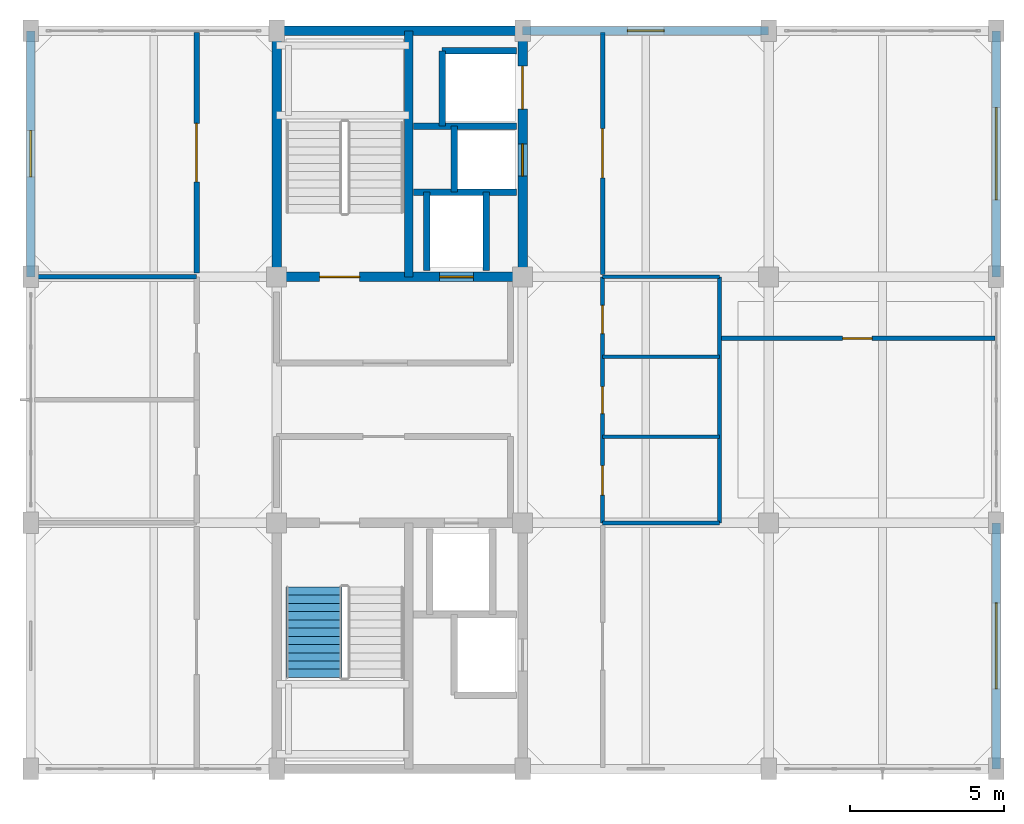
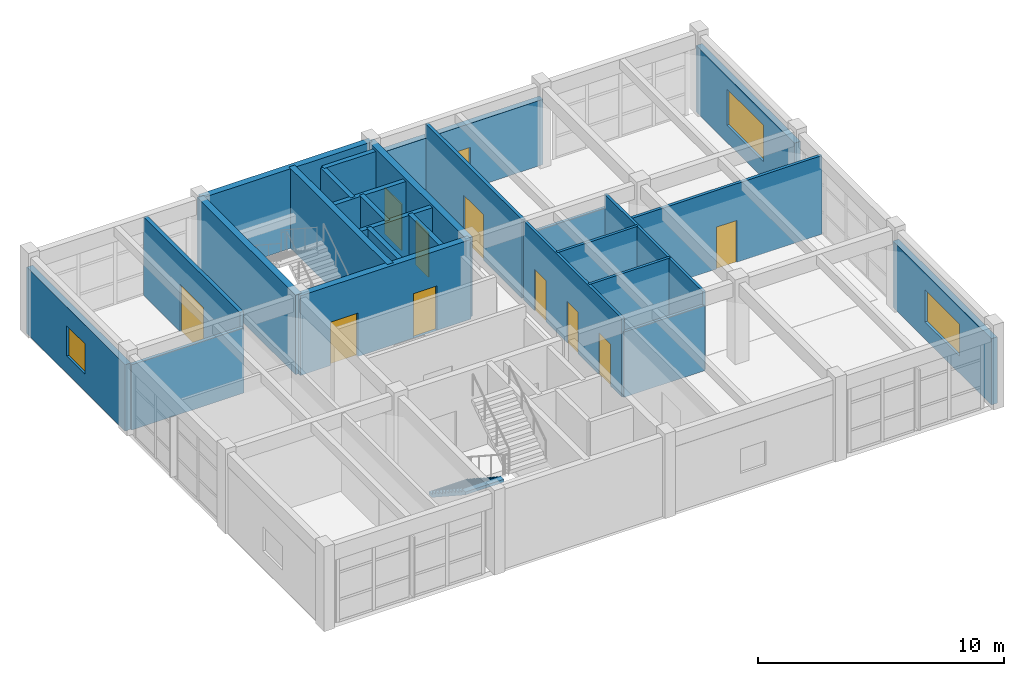
# One storey, part 15 of 18: 26 walls, 10 doors, 4 windows, 1 stair flight, 14 openings, 1 element without a shape of its own.
"""IFC4 building model written with IfcOpenShell, lengths in metres."""

from ifc_helpers import new_model, si_unit, direction, frame, frame_2d, origin, place, context, subcontext, project, spatial, polyline, rectangle, outline, extrude, material, layer, layer_set, type_object, element, fill, aggregate, save


model = new_model("IFC4")

# Units and contexts
model_context = context("Model", 3, precision=1e-05, world=origin(), true_north=direction((0.0, 1.0)))
body_context = subcontext(model_context, "Body", "Model", "MODEL_VIEW")
ifc_project = project(units=[si_unit("LENGTHUNIT", "METRE"), si_unit("AREAUNIT", "SQUARE_METRE"), si_unit("VOLUMEUNIT", "CUBIC_METRE"), si_unit("PLANEANGLEUNIT", "RADIAN"), si_unit("MASSUNIT", "GRAM", prefix="KILO")], contexts=[model_context])

# Site, building, storey
site_placement = place(None, origin())
site = spatial("IfcSite", under=ifc_project, at=site_placement, CompositionType="ELEMENT")
building_placement = place(site_placement, origin())
building = spatial("IfcBuilding", under=site, at=building_placement, Name="Canggui Botanical Conservatory", CompositionType="ELEMENT")
storey_placement = place(building_placement, frame((0.0, 0.0, 61.199951171875)))
storey = spatial("IfcBuildingStorey", under=building, at=storey_placement, Name="L15", CompositionType="ELEMENT", Elevation=61.199951171875)

# Wall, opening, window
ifc_material_1 = material(Name="Precast Concrete C40", Category="concrete")
ifc_layer_1 = layer(ifc_material_1, 0.280029296875, Name="Precast Concrete C40", Category="concrete")
ifc_layer_set_1 = layer_set([ifc_layer_1], Name="Precast Concrete C40")
wall_type_1 = type_object("IfcWallType", Name="EW-280", PredefinedType="STANDARD", material=ifc_layer_set_1)
wall_1_placement = place(storey_placement, frame((146.0, 58.0, 0.0), z_axis=(0.0, 0.0, 1.0), x_axis=(0.0, 1.0, 0.0)))
wall_1 = element("IfcWall", 1, at=wall_1_placement, inside=storey, type_object=wall_type_1, Name="Tower Insulated Exterior Wall L15-W6", PredefinedType="STANDARD", context=body_context, shape_type="SweptSolid", body=[
    extrude(rectangle(XDim=8.0, YDim=0.280029296875, at=frame_2d((4.0, 0.0))), origin(), (0.0, 0.0, 1.0), 3.2900390625),
])
opening_1_placement = place(wall_1_placement, frame((3.25, 0.0, 0.85009765625)))
opening_1 = element("IfcOpeningElement", 2, at=opening_1_placement, cuts=wall_1, Name="Opening W-05", PredefinedType="OPENING", context=body_context, shape_type="SweptSolid", body=[
    extrude(rectangle(XDim=1.5, YDim=1.5, at=frame_2d((0.75, 0.75))), frame((0.0, 0.14990234375, 0.0), z_axis=(0.0, -1.0, 0.0), x_axis=(1.0, 0.0, 0.0)), (0.0, 0.0, 1.0), 0.300048828125),
])
ifc_material_2 = material(Name="Low-E Insulated Glass", Category="glass")
window_type_1 = type_object("IfcWindowType", Name="WIN-05", PartitioningType="SINGLE_PANEL", PredefinedType="WINDOW", material=ifc_material_2)
window_1_placement = place(opening_1_placement, origin())
window_1 = element("IfcWindow", 3, at=window_1_placement, inside=storey, type_object=window_type_1, Name="Tower Window L15-6", OverallHeight=1.5, OverallWidth=1.5, PartitioningType="SINGLE_PANEL", PredefinedType="WINDOW", context=body_context, shape_type="SweptSolid", body=[
    extrude(rectangle(XDim=1.5, YDim=1.5, at=frame_2d((0.75, 0.75))), frame((0.0, 0.030029296875, 0.0), z_axis=(0.0, -1.0, 0.0), x_axis=(1.0, 0.0, 0.0)), (0.0, 0.0, 1.0), 0.06005859375),
])
fill(opening_1, window_1)

wall_2_placement = place(storey_placement, frame((162.0, 66.0, 0.0), z_axis=(0.0, 0.0, 1.0), x_axis=(1.0, 0.0, 0.0)))
wall_2 = element("IfcWall", 4, at=wall_2_placement, inside=storey, type_object=wall_type_1, Name="Tower Insulated Exterior Wall L15-N8", PredefinedType="STANDARD", context=body_context, shape_type="SweptSolid", body=[
    extrude(rectangle(XDim=8.0, YDim=0.280029296875, at=frame_2d((4.0, 0.0))), origin(), (0.0, 0.0, 1.0), 3.239990234375),
])
opening_2_placement = place(wall_2_placement, frame((3.39990234375, 0.0, 0.85009765625)))
opening_2 = element("IfcOpeningElement", 5, at=opening_2_placement, cuts=wall_2, Name="Opening W-06", PredefinedType="OPENING", context=body_context, shape_type="SweptSolid", body=[
    extrude(rectangle(XDim=1.199951171875, YDim=1.199951171875, at=frame_2d((0.60009765625, 0.60009765625))), frame((0.0, 0.14990234375, 0.0), z_axis=(0.0, -1.0, 0.0), x_axis=(1.0, 0.0, 0.0)), (0.0, 0.0, 1.0), 0.300048828125),
])
window_type_2 = type_object("IfcWindowType", Name="WIN-06", PartitioningType="SINGLE_PANEL", PredefinedType="WINDOW", material=ifc_material_2)
window_2_placement = place(opening_2_placement, origin())
window_2 = element("IfcWindow", 6, at=window_2_placement, inside=storey, type_object=window_type_2, Name="Tower Firefighter Rescue Window L15-8", OverallHeight=1.199951171875, OverallWidth=1.199951171875, PartitioningType="SINGLE_PANEL", PredefinedType="WINDOW", context=body_context, shape_type="SweptSolid", body=[
    extrude(rectangle(XDim=1.199951171875, YDim=1.199951171875, at=frame_2d((0.60009765625, 0.60009765625))), frame((0.0, 0.030029296875, 0.0), z_axis=(0.0, -1.0, 0.0), x_axis=(1.0, 0.0, 0.0)), (0.0, 0.0, 1.0), 0.06005859375),
])
fill(opening_2, window_2)

wall_3_placement = place(storey_placement, frame((177.39990234375, 66.0, 0.0), z_axis=(0.0, 0.0, 1.0), x_axis=(0.0, -1.0, 0.0)))
wall_3 = element("IfcWall", 7, at=wall_3_placement, inside=storey, type_object=wall_type_1, Name="Tower Insulated Exterior Wall L15-E10", PredefinedType="STANDARD", context=body_context, shape_type="SweptSolid", body=[
    extrude(rectangle(XDim=8.0, YDim=0.280029296875, at=frame_2d((4.0, 0.0))), origin(), (0.0, 0.0, 1.0), 3.2900390625),
])
opening_3_placement = place(wall_3_placement, frame((2.5, 0.0, 0.85009765625)))
opening_3 = element("IfcOpeningElement", 8, at=opening_3_placement, cuts=wall_3, Name="Opening W-07", PredefinedType="OPENING", context=body_context, shape_type="SweptSolid", body=[
    extrude(rectangle(XDim=3.0, YDim=1.800048828125, at=frame_2d((1.5, 0.89990234375))), frame((0.0, 0.14990234375, 0.0), z_axis=(0.0, -1.0, 0.0), x_axis=(1.0, 0.0, 0.0)), (0.0, 0.0, 1.0), 0.300048828125),
])
window_type_3 = type_object("IfcWindowType", Name="WIN-07", PartitioningType="TRIPLE_PANEL_VERTICAL", PredefinedType="WINDOW", material=ifc_material_2)
window_3_placement = place(opening_3_placement, origin())
window_3 = element("IfcWindow", 9, at=window_3_placement, inside=storey, type_object=window_type_3, Name="Tower Window L15-10", OverallHeight=1.800048828125, OverallWidth=3.0, PartitioningType="SINGLE_PANEL", PredefinedType="WINDOW", context=body_context, shape_type="SweptSolid", body=[
    extrude(rectangle(XDim=3.0, YDim=1.800048828125, at=frame_2d((1.5, 0.89990234375))), frame((0.0, 0.030029296875, 0.0), z_axis=(0.0, -1.0, 0.0), x_axis=(1.0, 0.0, 0.0)), (0.0, 0.0, 1.0), 0.06005859375),
])
fill(opening_3, window_3)

wall_4_placement = place(storey_placement, frame((177.39990234375, 50.0, 0.0), z_axis=(0.0, 0.0, 1.0), x_axis=(0.0, -1.0, 0.0)))
wall_4 = element("IfcWall", 10, at=wall_4_placement, inside=storey, type_object=wall_type_1, Name="Tower Insulated Exterior Wall L15-E12", PredefinedType="STANDARD", context=body_context, shape_type="SweptSolid", body=[
    extrude(rectangle(XDim=8.0, YDim=0.280029296875, at=frame_2d((4.0, 0.0))), origin(), (0.0, 0.0, 1.0), 3.2900390625),
])
opening_4_placement = place(wall_4_placement, frame((2.60009765625, 0.0, 0.85009765625)))
opening_4 = element("IfcOpeningElement", 11, at=opening_4_placement, cuts=wall_4, Name="Opening W-08", PredefinedType="OPENING", context=body_context, shape_type="SweptSolid", body=[
    extrude(rectangle(XDim=2.800048828125, YDim=1.60009765625, at=frame_2d((1.39990234375, 0.800048828125))), frame((0.0, 0.14990234375, 0.0), z_axis=(0.0, -1.0, 0.0), x_axis=(1.0, 0.0, 0.0)), (0.0, 0.0, 1.0), 0.300048828125),
])
window_type_4 = type_object("IfcWindowType", Name="WIN-08", PartitioningType="TRIPLE_PANEL_VERTICAL", PredefinedType="WINDOW", material=ifc_material_2)
window_4_placement = place(opening_4_placement, origin())
window_4 = element("IfcWindow", 12, at=window_4_placement, inside=storey, type_object=window_type_4, Name="Tower Window L15-12", OverallHeight=1.60009765625, OverallWidth=2.800048828125, PartitioningType="SINGLE_PANEL", PredefinedType="WINDOW", context=body_context, shape_type="SweptSolid", body=[
    extrude(rectangle(XDim=2.800048828125, YDim=1.60009765625, at=frame_2d((1.39990234375, 0.800048828125))), frame((0.0, 0.030029296875, 0.0), z_axis=(0.0, -1.0, 0.0), x_axis=(1.0, 0.0, 0.0)), (0.0, 0.0, 1.0), 0.06005859375),
])
fill(opening_4, window_4)

# Wall, opening, door
ifc_material_3 = material(Name="Gypsum Plasterboard Partition")
ifc_layer_2 = layer(ifc_material_3, 0.175048828125, Name="Gypsum Plasterboard Partition")
ifc_layer_set_2 = layer_set([ifc_layer_2], Name="Gypsum Plasterboard Partition")
wall_type_2 = type_object("IfcWallType", Name="IW-CORR-175", PredefinedType="STANDARD", material=ifc_layer_set_2)
wall_5_placement = place(storey_placement, frame((151.39990234375, 58.1201171875, 0.0), z_axis=(0.0, 0.0, 1.0), x_axis=(0.0, 1.0, 0.0)))
wall_5 = element("IfcWall", 13, at=wall_5_placement, inside=storey, type_object=wall_type_2, Name="L15 Symposium Translation and Prep Room Corridor Wall", PredefinedType="STANDARD", context=body_context, shape_type="SweptSolid", body=[
    extrude(rectangle(XDim=7.829833984375, YDim=0.175048828125, at=frame_2d((3.9150390625, 0.0))), origin(), (0.0, 0.0, 1.0), 3.900146484375),
])
opening_5_placement = place(wall_5_placement, frame((2.965087890625, 0.0, 0.0)))
opening_5 = element("IfcOpeningElement", 14, at=opening_5_placement, cuts=wall_5, Name="Opening FD-18", PredefinedType="OPENING", context=body_context, shape_type="SweptSolid", body=[
    extrude(rectangle(XDim=1.89990234375, YDim=2.35009765625, at=frame_2d((0.949951171875, 1.175048828125))), frame((0.0, 0.09765625, 0.0), z_axis=(0.0, -1.0, 0.0), x_axis=(1.0, 0.0, 0.0)), (0.0, 0.0, 1.0), 0.195068359375),
])
ifc_material_4 = material(Name="Powder-Coated Steel", Category="steel")
door_type_1 = type_object("IfcDoorType", Name="FD-18", OperationType="NOTDEFINED", PredefinedType="DOOR", material=ifc_material_4)
door_1_placement = place(opening_5_placement, origin())
door_1 = element("IfcDoor", 15, at=door_1_placement, inside=storey, type_object=door_type_1, Name="L15 Symposium Translation and Prep Room Entrance Door", OperationType="DOUBLE_DOOR_SINGLE_SWING", OverallHeight=2.35009765625, OverallWidth=1.89990234375, PredefinedType="DOOR", context=body_context, shape_type="SweptSolid", body=[
    extrude(rectangle(XDim=1.89990234375, YDim=2.35009765625, at=frame_2d((0.949951171875, 1.175048828125))), frame((0.0, 0.02490234375, 0.0), z_axis=(0.0, -1.0, 0.0), x_axis=(1.0, 0.0, 0.0)), (0.0, 0.0, 1.0), 0.050048828125),
])
fill(opening_5, door_1)

ifc_layer_3 = layer(ifc_material_3, 0.155029296875, Name="Gypsum Plasterboard Partition")
ifc_layer_set_3 = layer_set([ifc_layer_3], Name="Gypsum Plasterboard Partition")
wall_type_3 = type_object("IfcWallType", Name="IW-LAB-155", PredefinedType="STANDARD", material=ifc_layer_set_3)
wall_6_placement = place(storey_placement, frame((164.60009765625, 58.080078125, 0.0), z_axis=(0.0, 0.0, 1.0), x_axis=(0.0, 1.0, 0.0)))
wall_6 = element("IfcWall", 16, at=wall_6_placement, inside=storey, type_object=wall_type_3, Name="L15 Botanical Lecture Seminar Suite Lab Wall", PredefinedType="STANDARD", context=body_context, shape_type="SweptSolid", body=[
    extrude(rectangle(XDim=7.869873046875, YDim=0.155029296875, at=frame_2d((3.93505859375, 0.0))), origin(), (0.0, 0.0, 1.0), 3.900146484375),
])
opening_6_placement = place(wall_6_placement, frame((3.135009765625, 0.0, 0.0)))
opening_6 = element("IfcOpeningElement", 17, at=opening_6_placement, cuts=wall_6, Name="Opening FD-15", PredefinedType="OPENING", context=body_context, shape_type="SweptSolid", body=[
    extrude(rectangle(XDim=1.60009765625, YDim=2.25, at=frame_2d((0.800048828125, 1.125))), frame((0.0, 0.08740234375, 0.0), z_axis=(0.0, -1.0, 0.0), x_axis=(1.0, 0.0, 0.0)), (0.0, 0.0, 1.0), 0.175048828125),
])
door_type_2 = type_object("IfcDoorType", Name="FD-15", OperationType="NOTDEFINED", PredefinedType="DOOR", material=ifc_material_4)
door_2_placement = place(opening_6_placement, origin())
door_2 = element("IfcDoor", 18, at=door_2_placement, inside=storey, type_object=door_type_2, Name="Interior Door IW-L15-ECOR-2-1", OperationType="DOUBLE_DOOR_SINGLE_SWING", OverallHeight=2.25, OverallWidth=1.60009765625, PredefinedType="DOOR", context=body_context, shape_type="SweptSolid", body=[
    extrude(rectangle(XDim=1.60009765625, YDim=2.25, at=frame_2d((0.800048828125, 1.125))), frame((0.0, 0.02490234375, 0.0), z_axis=(0.0, -1.0, 0.0), x_axis=(1.0, 0.0, 0.0)), (0.0, 0.0, 1.0), 0.050048828125),
])
fill(opening_6, door_2)

# Wall
ifc_layer_4 = layer(ifc_material_3, 0.139892578125, Name="Gypsum Plasterboard Partition")
ifc_layer_set_4 = layer_set([ifc_layer_4], Name="Gypsum Plasterboard Partition")
wall_type_4 = type_object("IfcWallType", Name="IW-PART-140", PredefinedType="STANDARD", material=ifc_layer_set_4)
wall_7_placement = place(storey_placement, frame((146.1201171875, 58.0, 0.0), z_axis=(0.0, 0.0, 1.0), x_axis=(1.0, 0.0, 0.0)))
element("IfcWall", 19, at=wall_7_placement, inside=storey, type_object=wall_type_4, Name="L15 Store North Cross Wall", PredefinedType="STANDARD", context=body_context, shape_type="SweptSolid", body=[
    extrude(rectangle(XDim=5.27978515625, YDim=0.139892578125, at=frame_2d((2.639892578125, 0.0))), origin(), (0.0, 0.0, 1.0), 3.239990234375),
])

# Wall, opening, door
wall_8_placement = place(storey_placement, frame((168.39990234375, 56.0, 0.0), z_axis=(0.0, 0.0, 1.0), x_axis=(1.0, 0.0, 0.0)))
wall_8 = element("IfcWall", 20, at=wall_8_placement, inside=storey, type_object=wall_type_4, Name="L15 International Botanical Symposium Hall Subdivision Wall", PredefinedType="STANDARD", context=body_context, shape_type="SweptSolid", body=[
    extrude(rectangle(XDim=8.960205078125, YDim=0.139892578125, at=frame_2d((4.47998046875, 0.0))), origin(), (0.0, 0.0, 1.0), 3.900146484375),
])
opening_7_placement = place(wall_8_placement, frame((4.0, 0.0, 0.0)))
opening_7 = element("IfcOpeningElement", 21, at=opening_7_placement, cuts=wall_8, Name="Opening ID-03", PredefinedType="OPENING", context=body_context, shape_type="SweptSolid", body=[
    extrude(rectangle(XDim=0.9599609375, YDim=2.080078125, at=frame_2d((0.47998046875, 1.0400390625))), frame((0.0, 0.080078125, 0.0), z_axis=(0.0, -1.0, 0.0), x_axis=(1.0, 0.0, 0.0)), (0.0, 0.0, 1.0), 0.159912109375),
])
ifc_material_5 = material(Name="Engineered Timber Veneer", Category="wood")
door_type_3 = type_object("IfcDoorType", Name="ID-03", OperationType="NOTDEFINED", PredefinedType="DOOR", material=ifc_material_5)
door_3_placement = place(opening_7_placement, origin())
door_3 = element("IfcDoor", 22, at=door_3_placement, inside=storey, type_object=door_type_3, Name="Interior Door IW-L15-EDIV-1", OperationType="SINGLE_SWING_RIGHT", OverallHeight=2.080078125, OverallWidth=0.9599609375, PredefinedType="DOOR", context=body_context, shape_type="SweptSolid", body=[
    extrude(rectangle(XDim=0.9599609375, YDim=2.080078125, at=frame_2d((0.47998046875, 1.0400390625))), frame((0.0, 0.02490234375, 0.0), z_axis=(0.0, -1.0, 0.0), x_axis=(1.0, 0.0, 0.0)), (0.0, 0.0, 1.0), 0.050048828125),
])
fill(opening_7, door_3)

# Walls
ifc_material_6 = material(Name="Concrete C35", Category="concrete")
ifc_layer_5 = layer(ifc_material_6, 0.215087890625, Name="Concrete C35", Category="concrete")
ifc_layer_set_5 = layer_set([ifc_layer_5], Name="Concrete C35")
wall_type_5 = type_object("IfcWallType", Name="IW-SHAFT-215", PredefinedType="STANDARD", material=ifc_layer_set_5)
wall_9_placement = place(storey_placement, frame((158.449951171875, 62.89990234375, 0.0), z_axis=(0.0, 0.0, 1.0), x_axis=(1.0, 0.0, 0.0)))
element("IfcWall", 23, at=wall_9_placement, inside=storey, type_object=wall_type_5, Name="Core T2 Goods Lift Shaft Divider L15", PredefinedType="STANDARD", context=body_context, shape_type="SweptSolid", body=[
    extrude(rectangle(XDim=3.35009765625, YDim=0.215087890625, at=frame_2d((1.675048828125, 0.0))), origin(), (0.0, 0.0, 1.0), 3.900146484375),
])
wall_10_placement = place(storey_placement, frame((160.820068359375, 58.199951171875, 0.0), z_axis=(0.0, 0.0, 1.0), x_axis=(0.0, 1.0, 0.0)))
element("IfcWall", 24, at=wall_10_placement, inside=storey, type_object=wall_type_5, Name="Core T2 Lift Bank Web L15", PredefinedType="STANDARD", context=body_context, shape_type="SweptSolid", body=[
    extrude(rectangle(XDim=2.550048828125, YDim=0.215087890625, at=frame_2d((1.27490234375, 0.0))), origin(), (0.0, 0.0, 1.0), 3.900146484375),
])
wall_11_placement = place(storey_placement, frame((159.3798828125, 62.89990234375, 0.0), z_axis=(0.0, 0.0, 1.0), x_axis=(0.0, 1.0, 0.0)))
element("IfcWall", 25, at=wall_11_placement, inside=storey, type_object=wall_type_5, Name="Core T2 GL-01 West Shaft Wall L15", PredefinedType="STANDARD", context=body_context, shape_type="SweptSolid", body=[
    extrude(rectangle(XDim=2.4501953125, YDim=0.215087890625, at=frame_2d((1.22509765625, 0.0))), origin(), (0.0, 0.0, 1.0), 3.900146484375),
])
wall_12_placement = place(storey_placement, frame((159.3798828125, 65.35009765625, 0.0), z_axis=(0.0, 0.0, 1.0), x_axis=(1.0, 0.0, 0.0)))
element("IfcWall", 26, at=wall_12_placement, inside=storey, type_object=wall_type_5, Name="Core T2 GL-01 North Shaft Wall L15", PredefinedType="STANDARD", context=body_context, shape_type="SweptSolid", body=[
    extrude(rectangle(XDim=2.420166015625, YDim=0.215087890625, at=frame_2d((1.2099609375, 0.0))), origin(), (0.0, 0.0, 1.0), 3.900146484375),
])
wall_13_placement = place(storey_placement, frame((158.449951171875, 60.75, 0.0), z_axis=(0.0, 0.0, 1.0), x_axis=(1.0, 0.0, 0.0)))
element("IfcWall", 27, at=wall_13_placement, inside=storey, type_object=wall_type_5, Name="Core T2 PL-02 South Shaft Wall L15", PredefinedType="STANDARD", context=body_context, shape_type="SweptSolid", body=[
    extrude(rectangle(XDim=3.35009765625, YDim=0.215087890625, at=frame_2d((1.675048828125, 0.0))), origin(), (0.0, 0.0, 1.0), 3.900146484375),
])
wall_14_placement = place(storey_placement, frame((159.780029296875, 60.75, 0.0), z_axis=(0.0, 0.0, 1.0), x_axis=(0.0, 1.0, 0.0)))
element("IfcWall", 28, at=wall_14_placement, inside=storey, type_object=wall_type_5, Name="Core T2 PL-02 West Shaft Wall L15", PredefinedType="STANDARD", context=body_context, shape_type="SweptSolid", body=[
    extrude(rectangle(XDim=2.14990234375, YDim=0.215087890625, at=frame_2d((1.074951171875, 0.0))), origin(), (0.0, 0.0, 1.0), 3.900146484375),
])
wall_15_placement = place(storey_placement, frame((158.8798828125, 58.199951171875, 0.0), z_axis=(0.0, 0.0, 1.0), x_axis=(0.0, 1.0, 0.0)))
element("IfcWall", 29, at=wall_15_placement, inside=storey, type_object=wall_type_5, Name="Core T2 FL-02 West Shaft Wall L15", PredefinedType="STANDARD", context=body_context, shape_type="SweptSolid", body=[
    extrude(rectangle(XDim=2.550048828125, YDim=0.215087890625, at=frame_2d((1.27490234375, 0.0))), origin(), (0.0, 0.0, 1.0), 3.900146484375),
])

# Wall, openings, doors
ifc_layer_6 = layer(ifc_material_3, 0.125, Name="Gypsum Plasterboard Partition")
ifc_layer_set_6 = layer_set([ifc_layer_6], Name="Gypsum Plasterboard Partition")
wall_type_6 = type_object("IfcWallType", Name="IW-WC-125", PredefinedType="STANDARD", material=ifc_layer_set_6)
wall_16_placement = place(storey_placement, frame((164.60009765625, 50.0, 0.0), z_axis=(0.0, 0.0, 1.0), x_axis=(0.0, 1.0, 0.0)))
wall_16 = element("IfcWall", 30, at=wall_16_placement, inside=storey, type_object=wall_type_6, Name="L15 Restroom Block Corridor Wall", PredefinedType="STANDARD", context=body_context, shape_type="SweptSolid", body=[
    extrude(rectangle(XDim=8.0, YDim=0.125, at=frame_2d((4.0, 0.0))), origin(), (0.0, 0.0, 1.0), 3.900146484375),
])
opening_8_placement = place(wall_16_placement, frame((0.89990234375, 0.0, 0.0)))
opening_8 = element("IfcOpeningElement", 31, at=opening_8_placement, cuts=wall_16, Name="Opening ID-03", PredefinedType="OPENING", context=body_context, shape_type="SweptSolid", body=[
    extrude(rectangle(XDim=0.9599609375, YDim=2.080078125, at=frame_2d((0.47998046875, 1.0400390625))), frame((0.0, 0.072509765625, 0.0), z_axis=(0.0, -1.0, 0.0), x_axis=(1.0, 0.0, 0.0)), (0.0, 0.0, 1.0), 0.14501953125),
])
opening_9_placement = place(wall_16_placement, frame((3.550048828125, 0.0, 0.0)))
opening_9 = element("IfcOpeningElement", 32, at=opening_9_placement, cuts=wall_16, Name="Opening ID-01", PredefinedType="OPENING", context=body_context, shape_type="SweptSolid", body=[
    extrude(rectangle(XDim=0.8798828125, YDim=2.050048828125, at=frame_2d((0.43994140625, 1.02490234375))), frame((0.0, 0.072509765625, 0.0), z_axis=(0.0, -1.0, 0.0), x_axis=(1.0, 0.0, 0.0)), (0.0, 0.0, 1.0), 0.14501953125),
])
opening_10_placement = place(wall_16_placement, frame((6.14990234375, 0.0, 0.0)))
opening_10 = element("IfcOpeningElement", 33, at=opening_10_placement, cuts=wall_16, Name="Opening ID-02", PredefinedType="OPENING", context=body_context, shape_type="SweptSolid", body=[
    extrude(rectangle(XDim=0.919921875, YDim=2.050048828125, at=frame_2d((0.4599609375, 1.02490234375))), frame((0.0, 0.072509765625, 0.0), z_axis=(0.0, -1.0, 0.0), x_axis=(1.0, 0.0, 0.0)), (0.0, 0.0, 1.0), 0.14501953125),
])
door_type_4 = type_object("IfcDoorType", Name="ID-01", OperationType="NOTDEFINED", PredefinedType="DOOR", material=ifc_material_5)
door_4_placement = place(opening_9_placement, origin())
door_4 = element("IfcDoor", 34, at=door_4_placement, inside=storey, type_object=door_type_4, Name="L15 Male WC Door", OperationType="SINGLE_SWING_LEFT", OverallHeight=2.050048828125, OverallWidth=0.8798828125, PredefinedType="DOOR", context=body_context, shape_type="SweptSolid", body=[
    extrude(rectangle(XDim=0.8798828125, YDim=2.050048828125, at=frame_2d((0.43994140625, 1.02490234375))), frame((0.0, 0.02490234375, 0.0), z_axis=(0.0, -1.0, 0.0), x_axis=(1.0, 0.0, 0.0)), (0.0, 0.0, 1.0), 0.050048828125),
])
fill(opening_9, door_4)
door_type_5 = type_object("IfcDoorType", Name="ID-02", OperationType="NOTDEFINED", PredefinedType="DOOR", material=ifc_material_5)
door_5_placement = place(opening_10_placement, origin())
door_5 = element("IfcDoor", 35, at=door_5_placement, inside=storey, type_object=door_type_5, Name="L15 Female WC Door", OperationType="SINGLE_SWING_RIGHT", OverallHeight=2.050048828125, OverallWidth=0.919921875, PredefinedType="DOOR", context=body_context, shape_type="SweptSolid", body=[
    extrude(rectangle(XDim=0.919921875, YDim=2.050048828125, at=frame_2d((0.4599609375, 1.02490234375))), frame((0.0, 0.02490234375, 0.0), z_axis=(0.0, -1.0, 0.0), x_axis=(1.0, 0.0, 0.0)), (0.0, 0.0, 1.0), 0.050048828125),
])
fill(opening_10, door_5)
door_6_placement = place(opening_8_placement, origin())
door_6 = element("IfcDoor", 36, at=door_6_placement, inside=storey, type_object=door_type_3, Name="L15 Accessible WC Door", OperationType="SINGLE_SWING_RIGHT", OverallHeight=2.080078125, OverallWidth=0.9599609375, PredefinedType="DOOR", context=body_context, shape_type="SweptSolid", body=[
    extrude(rectangle(XDim=0.9599609375, YDim=2.080078125, at=frame_2d((0.47998046875, 1.0400390625))), frame((0.0, 0.02490234375, 0.0), z_axis=(0.0, -1.0, 0.0), x_axis=(1.0, 0.0, 0.0)), (0.0, 0.0, 1.0), 0.050048828125),
])
fill(opening_8, door_6)

# Walls
wall_17_placement = place(storey_placement, frame((168.39990234375, 50.0, 0.0), z_axis=(0.0, 0.0, 1.0), x_axis=(0.0, 1.0, 0.0)))
element("IfcWall", 37, at=wall_17_placement, inside=storey, type_object=wall_type_6, Name="L15 Restroom Block Back Wall", PredefinedType="STANDARD", context=body_context, shape_type="SweptSolid", body=[
    extrude(rectangle(XDim=8.0, YDim=0.125, at=frame_2d((4.0, 0.0))), origin(), (0.0, 0.0, 1.0), 3.900146484375),
])
wall_18_placement = place(storey_placement, frame((164.60009765625, 50.0, 0.0), z_axis=(0.0, 0.0, 1.0), x_axis=(1.0, 0.0, 0.0)))
element("IfcWall", 38, at=wall_18_placement, inside=storey, type_object=wall_type_6, Name="L15 Restroom Divider Y50.0", PredefinedType="STANDARD", context=body_context, shape_type="SweptSolid", body=[
    extrude(rectangle(XDim=3.7998046875, YDim=0.125, at=frame_2d((1.89990234375, 0.0))), origin(), (0.0, 0.0, 1.0), 3.239990234375),
])
for number, where, z_axis, x_axis, name in (
    (39, (164.60009765625, 52.800048828125, 0.0), (0.0, 0.0, 1.0), (1.0, 0.0, 0.0), "L15 Restroom Divider Y52.8"),
    (40, (164.60009765625, 55.39990234375, 0.0), (0.0, 0.0, 1.0), (1.0, 0.0, 0.0), "L15 Restroom Divider Y55.4"),
):
    element("IfcWall", number, at=place(storey_placement, frame(where, z_axis=z_axis, x_axis=x_axis)), inside=storey, type_object=wall_type_6, Name=name, PredefinedType="STANDARD", context=body_context, shape_type="SweptSolid", body=[
        extrude(rectangle(XDim=3.7998046875, YDim=0.125, at=frame_2d((1.89990234375, 0.0))), origin(), (0.0, 0.0, 1.0), 3.900146484375),
    ])
wall_19_placement = place(storey_placement, frame((164.60009765625, 58.0, 0.0), z_axis=(0.0, 0.0, 1.0), x_axis=(1.0, 0.0, 0.0)))
element("IfcWall", 41, at=wall_19_placement, inside=storey, type_object=wall_type_6, Name="L15 Restroom Divider Y58.0", PredefinedType="STANDARD", context=body_context, shape_type="SweptSolid", body=[
    extrude(rectangle(XDim=3.7998046875, YDim=0.125, at=frame_2d((1.89990234375, 0.0))), origin(), (0.0, 0.0, 1.0), 3.239990234375),
])
ifc_layer_7 = layer(ifc_material_6, 0.280029296875, Name="Concrete C35", Category="concrete")
ifc_layer_set_7 = layer_set([ifc_layer_7], Name="Concrete C35")
wall_type_7 = type_object("IfcWallType", Name="WALL-SH-280-C35", PredefinedType="SHEAR", material=ifc_layer_set_7)
wall_20_placement = place(storey_placement, frame((158.300048828125, 58.0, 0.0), z_axis=(0.0, 0.0, 1.0), x_axis=(0.0, 1.0, 0.0)))
element("IfcWall", 42, at=wall_20_placement, inside=storey, type_object=wall_type_7, Name="Core T2 Internal Shear Web L15", PredefinedType="SHEAR", context=body_context, shape_type="SweptSolid", body=[
    extrude(rectangle(XDim=8.0, YDim=0.280029296875, at=frame_2d((4.0, 0.0))), origin(), (0.0, 0.0, 1.0), 3.949951171875),
])

# Wall, openings, doors
ifc_layer_8 = layer(ifc_material_6, 0.300048828125, Name="Concrete C35", Category="concrete")
ifc_layer_set_8 = layer_set([ifc_layer_8], Name="Concrete C35")
wall_type_8 = type_object("IfcWallType", Name="WALL-SH-300-C35", PredefinedType="SHEAR", material=ifc_layer_set_8)
wall_21_placement = place(storey_placement, frame((154.0, 58.0, 0.0), z_axis=(0.0, 0.0, 1.0), x_axis=(1.0, 0.0, 0.0)))
wall_21 = element("IfcWall", 43, at=wall_21_placement, inside=storey, type_object=wall_type_8, Name="Core T2 Shear Wall L15-S", PredefinedType="SHEAR", context=body_context, shape_type="SweptSolid", body=[
    extrude(rectangle(XDim=8.0, YDim=0.300048828125, at=frame_2d((4.0, 0.0))), origin(), (0.0, 0.0, 1.0), 3.949951171875),
])
opening_11_placement = place(wall_21_placement, frame((1.39990234375, 0.0, 0.0)))
opening_11 = element("IfcOpeningElement", 44, at=opening_11_placement, cuts=wall_21, Name="Opening FD-09", PredefinedType="OPENING", context=body_context, shape_type="SweptSolid", body=[
    extrude(rectangle(XDim=1.300048828125, YDim=2.14990234375, at=frame_2d((0.64990234375, 1.074951171875))), frame((0.0, 0.16015625, 0.0), z_axis=(0.0, -1.0, 0.0), x_axis=(1.0, 0.0, 0.0)), (0.0, 0.0, 1.0), 0.320068359375),
])
opening_12_placement = place(wall_21_placement, frame((5.300048828125, 0.0, 0.0)))
opening_12 = element("IfcOpeningElement", 45, at=opening_12_placement, cuts=wall_21, Name="Opening LD-01", PredefinedType="OPENING", context=body_context, shape_type="SweptSolid", body=[
    extrude(rectangle(XDim=1.10009765625, YDim=2.199951171875, at=frame_2d((0.550048828125, 1.10009765625))), frame((0.0, 0.16015625, 0.0), z_axis=(0.0, -1.0, 0.0), x_axis=(1.0, 0.0, 0.0)), (0.0, 0.0, 1.0), 0.320068359375),
])
door_type_6 = type_object("IfcDoorType", Name="FD-09", OperationType="NOTDEFINED", PredefinedType="DOOR", material=ifc_material_4)
door_7_placement = place(opening_11_placement, origin())
door_7 = element("IfcDoor", 46, at=door_7_placement, inside=storey, type_object=door_type_6, Name="Tower North Smoke-Proof Stair Door L15", OperationType="SINGLE_SWING_RIGHT", OverallHeight=2.14990234375, OverallWidth=1.300048828125, PredefinedType="DOOR", context=body_context, shape_type="SweptSolid", body=[
    extrude(rectangle(XDim=1.300048828125, YDim=2.14990234375, at=frame_2d((0.64990234375, 1.074951171875))), frame((0.0, 0.02490234375, 0.0), z_axis=(0.0, -1.0, 0.0), x_axis=(1.0, 0.0, 0.0)), (0.0, 0.0, 1.0), 0.050048828125),
])
fill(opening_11, door_7)
ifc_material_7 = material(Name="Stainless Steel 304", Category="steel")
door_type_7 = type_object("IfcDoorType", Name="LDR-01", OperationType="NOTDEFINED", PredefinedType="DOOR", material=ifc_material_7)
door_8_placement = place(opening_12_placement, origin())
door_8 = element("IfcDoor", 47, at=door_8_placement, inside=storey, type_object=door_type_7, Name="Firefighting Lift FL-02 Landing Door L15", OperationType="SLIDING_TO_RIGHT", OverallHeight=2.199951171875, OverallWidth=1.10009765625, PredefinedType="DOOR", context=body_context, shape_type="SweptSolid", body=[
    extrude(rectangle(XDim=1.10009765625, YDim=2.199951171875, at=frame_2d((0.550048828125, 1.10009765625))), frame((0.0, 0.02490234375, 0.0), z_axis=(0.0, -1.0, 0.0), x_axis=(1.0, 0.0, 0.0)), (0.0, 0.0, 1.0), 0.050048828125),
])
fill(opening_12, door_8)

wall_22_placement = place(storey_placement, frame((162.0, 58.0, 0.0), z_axis=(0.0, 0.0, 1.0), x_axis=(0.0, 1.0, 0.0)))
wall_22 = element("IfcWall", 48, at=wall_22_placement, inside=storey, type_object=wall_type_8, Name="Core T2 Shear Wall L15-E", PredefinedType="SHEAR", context=body_context, shape_type="SweptSolid", body=[
    extrude(rectangle(XDim=8.0, YDim=0.300048828125, at=frame_2d((4.0, 0.0))), origin(), (0.0, 0.0, 1.0), 3.949951171875),
])
opening_13_placement = place(wall_22_placement, frame((3.27490234375, 0.0, 0.0)))
opening_13 = element("IfcOpeningElement", 49, at=opening_13_placement, cuts=wall_22, Name="Opening LD-02", PredefinedType="OPENING", context=body_context, shape_type="SweptSolid", body=[
    extrude(rectangle(XDim=1.050048828125, YDim=2.199951171875, at=frame_2d((0.52490234375, 1.10009765625))), frame((0.0, 0.16015625, 0.0), z_axis=(0.0, -1.0, 0.0), x_axis=(1.0, 0.0, 0.0)), (0.0, 0.0, 1.0), 0.320068359375),
])
opening_14_placement = place(wall_22_placement, frame((5.449951171875, 0.0, 0.0)))
opening_14 = element("IfcOpeningElement", 50, at=opening_14_placement, cuts=wall_22, Name="Opening LD-03", PredefinedType="OPENING", context=body_context, shape_type="SweptSolid", body=[
    extrude(rectangle(XDim=1.39990234375, YDim=2.300048828125, at=frame_2d((0.699951171875, 1.14990234375))), frame((0.0, 0.16015625, 0.0), z_axis=(0.0, -1.0, 0.0), x_axis=(1.0, 0.0, 0.0)), (0.0, 0.0, 1.0), 0.320068359375),
])
door_type_8 = type_object("IfcDoorType", Name="LDR-02", OperationType="NOTDEFINED", PredefinedType="DOOR", material=ifc_material_7)
door_9_placement = place(opening_13_placement, origin())
door_9 = element("IfcDoor", 51, at=door_9_placement, inside=storey, type_object=door_type_8, Name="Passenger Lift PL-02 Landing Door L15", OperationType="SLIDING_TO_RIGHT", OverallHeight=2.199951171875, OverallWidth=1.050048828125, PredefinedType="DOOR", context=body_context, shape_type="SweptSolid", body=[
    extrude(rectangle(XDim=1.050048828125, YDim=2.199951171875, at=frame_2d((0.52490234375, 1.10009765625))), frame((0.0, 0.02490234375, 0.0), z_axis=(0.0, -1.0, 0.0), x_axis=(1.0, 0.0, 0.0)), (0.0, 0.0, 1.0), 0.050048828125),
])
fill(opening_13, door_9)
door_type_9 = type_object("IfcDoorType", Name="LDR-03", OperationType="NOTDEFINED", PredefinedType="DOOR", material=ifc_material_7)
door_10_placement = place(opening_14_placement, origin())
door_10 = element("IfcDoor", 52, at=door_10_placement, inside=storey, type_object=door_type_9, Name="Herbarium Goods Lift GL-01 Landing Door L15", OperationType="DOUBLE_DOOR_SLIDING", OverallHeight=2.300048828125, OverallWidth=1.39990234375, PredefinedType="DOOR", context=body_context, shape_type="SweptSolid", body=[
    extrude(rectangle(XDim=1.39990234375, YDim=2.300048828125, at=frame_2d((0.699951171875, 1.14990234375))), frame((0.0, 0.02490234375, 0.0), z_axis=(0.0, -1.0, 0.0), x_axis=(1.0, 0.0, 0.0)), (0.0, 0.0, 1.0), 0.050048828125),
])
fill(opening_14, door_10)

# Walls
for number, where, z_axis, x_axis, name in (
    (53, (162.0, 66.0, 0.0), (0.0, 0.0, 1.0), (-1.0, 0.0, 0.0), "Core T2 Shear Wall L15-N"),
    (54, (154.0, 66.0, 0.0), (0.0, 0.0, 1.0), (0.0, -1.0, 0.0), "Core T2 Shear Wall L15-W"),
):
    element("IfcWall", number, at=place(storey_placement, frame(where, z_axis=z_axis, x_axis=x_axis)), inside=storey, type_object=wall_type_8, Name=name, PredefinedType="SHEAR", context=body_context, shape_type="SweptSolid", body=[
        extrude(rectangle(XDim=8.0, YDim=0.300048828125, at=frame_2d((4.0, 0.0))), origin(), (0.0, 0.0, 1.0), 3.949951171875),
    ])

# Stair, stair flight
stair_type = type_object("IfcStairType", Name="STR-TYPE-6", PredefinedType="HALF_TURN_STAIR", material=ifc_material_6)
stair_placement = place(storey_placement, origin())
stair = element("IfcStair", 55, at=stair_placement, inside=storey, type_object=stair_type, Name="L15 Tower South Smoke-Proof Stair ST-T1", PredefinedType="HALF_TURN_STAIR")
stair_flight_type = type_object("IfcStairFlightType", Name="SFL-TYPE-6", PredefinedType="STRAIGHT", material=ifc_material_6)
stair_flight_placement = place(storey_placement, frame((155.2099609375, 47.919921875, 0.0), z_axis=(0.0, 0.0, 1.0), x_axis=(0.0, -1.0, 0.0)))
stair_flight = element("IfcStairFlight", 56, at=stair_flight_placement, type_object=stair_flight_type, Name="ST-T1 flight 1", NumberOfRisers=12, NumberOfTreads=11, PredefinedType="STRAIGHT", RiserHeight=0.175, TreadLength=0.268, context=body_context, shape_type="SweptSolid", body=[
    extrude(outline(polyline([(0.0, 0.0), (0.0, 0.175048828125), (0.26806640625, 0.175048828125), (0.26806640625, 0.35009765625), (0.535888671875, 0.35009765625), (0.535888671875, 0.52490234375), (0.803955078125, 0.52490234375), (0.803955078125, 0.699951171875), (1.072021484375, 0.699951171875), (1.072021484375, 0.875), (1.340087890625, 0.875), (1.340087890625, 1.050048828125), (1.60791015625, 1.050048828125), (1.60791015625, 1.22509765625), (1.8759765625, 1.22509765625), (1.8759765625, 1.39990234375), (2.14404296875, 1.39990234375), (2.14404296875, 1.574951171875), (2.412109375, 1.574951171875), (2.412109375, 1.75), (2.679931640625, 1.75), (2.679931640625, 1.925048828125), (2.947998046875, 1.925048828125), (2.947998046875, 2.10009765625), (2.947998046875, 1.781494140625), (0.2197265625, 0.0), (0.0, 0.0)])), frame((0.0, 0.91015625, 0.0), z_axis=(0.0, -1.0, 0.0), x_axis=(1.0, 0.0, 0.0)), (0.0, 0.0, 1.0), 1.820068359375),
])
aggregate(stair, [stair_flight])

save(model, "model.ifc")
